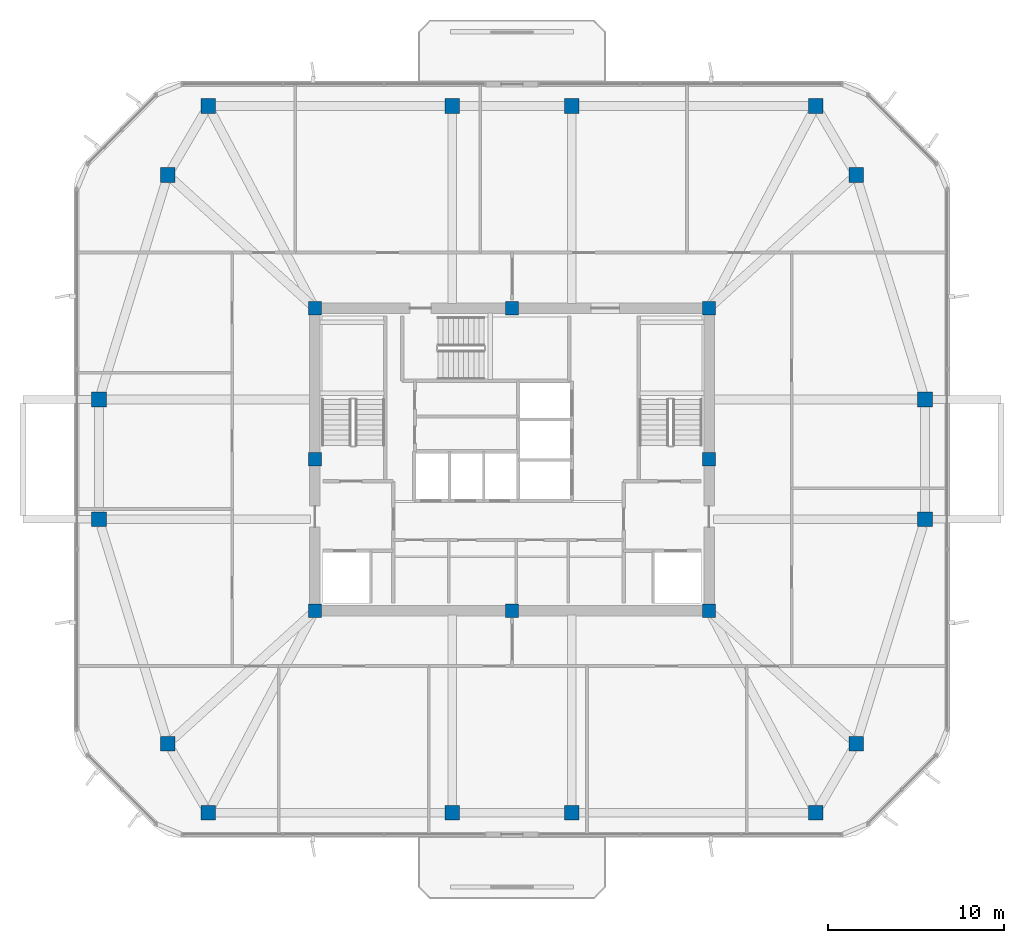
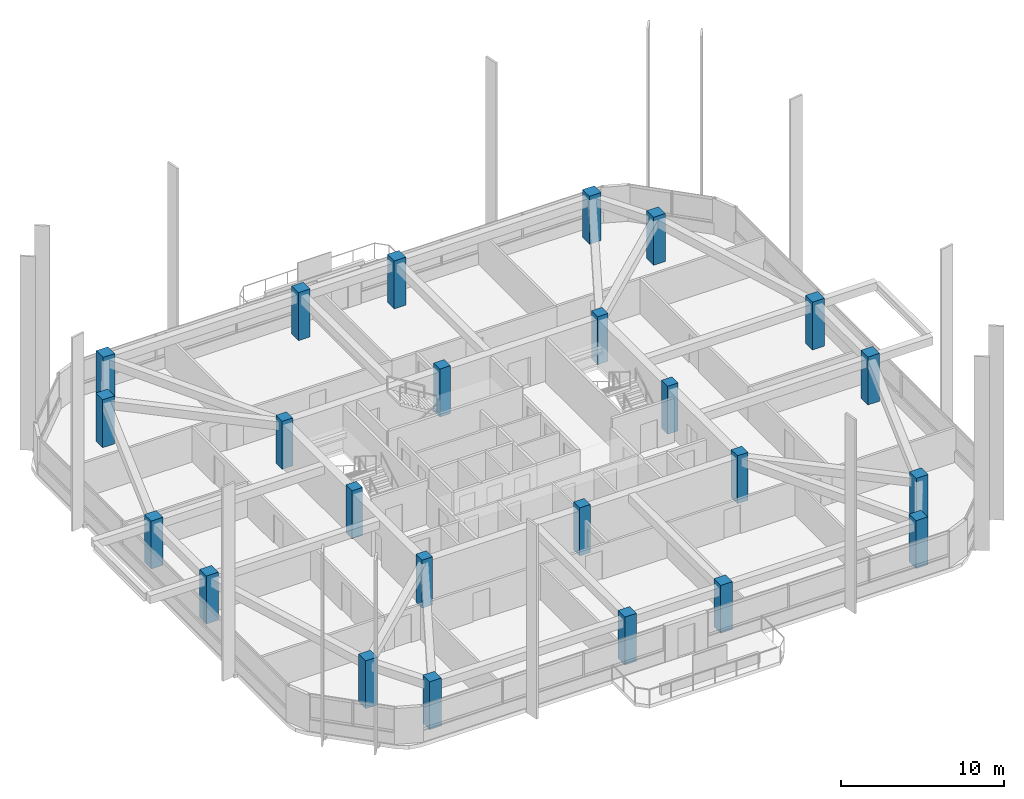
# One storey, part 1 of 12: 24 columns.
"""IFC4 building model written with IfcOpenShell, lengths in metres."""

from ifc_helpers import new_model, si_unit, derived_unit, direction, frame, origin, origin_2d, place, context, subcontext, project, spatial, rectangle, extrude, material, material_profile, profile_set, type_object, element, save


model = new_model("IFC4")

# Units and contexts
model_context = context("Model", 3, precision=1e-05, world=origin(), true_north=direction((0.0, 1.0)))
body_context = subcontext(model_context, "Body", "Model", "MODEL_VIEW")
ifc_project = project(units=[si_unit("LENGTHUNIT", "METRE"), si_unit("AREAUNIT", "SQUARE_METRE"), si_unit("VOLUMEUNIT", "CUBIC_METRE"), si_unit("PLANEANGLEUNIT", "RADIAN"), si_unit("MASSUNIT", "GRAM", prefix="KILO"), derived_unit("THERMALTRANSMITTANCEUNIT", [(si_unit("POWERUNIT", "WATT"), 1), (si_unit("LENGTHUNIT", "METRE"), -2), (si_unit("THERMODYNAMICTEMPERATUREUNIT", "KELVIN"), -1)])], contexts=[model_context])

# Site, building, storey
site_placement = place(None, origin())
site = spatial("IfcSite", under=ifc_project, at=site_placement, CompositionType="ELEMENT")
building_placement = place(site_placement, origin())
building = spatial("IfcBuilding", under=site, at=building_placement, Name="Koralith Skygarden Medical Center", CompositionType="ELEMENT")
storey_placement = place(building_placement, frame((0.0, 0.0, 268.02001953125)))
storey = spatial("IfcBuildingStorey", under=building, at=storey_placement, Name="L69", CompositionType="ELEMENT", Elevation=268.02001953125)

# Columns
ifc_material = material(Name="Concrete C55/67", Category="concrete")
ifc_material_profile_1 = material_profile(ifc_material, rectangle(XDim=0.760009765625, YDim=0.760009765625, at=origin_2d()), Name="RC760X760")
ifc_profile_set_1 = profile_set([ifc_material_profile_1], Name="Concrete C55/67")
column_type_1 = type_object("IfcColumnType", Name="Core Crown Column C55 RC760", PredefinedType="COLUMN", material=ifc_profile_set_1)
for number, where, z_axis, x_axis, name in (
    (1, (25.800048828125, 17.300048828125, 0.0), (0.0, 0.0, 1.0), (1.0, 0.0, 0.0), "L69 Core Column CC-01"),
    (2, (37.0, 17.300048828125, 0.0), (0.0, 0.0, 1.0), (1.0, 0.0, 0.0), "L69 Core Column CC-02"),
    (3, (48.199951171875, 17.300048828125, 0.0), (0.0, 0.0, 1.0), (1.0, 0.0, 0.0), "L69 Core Column CC-03"),
    (4, (48.199951171875, 25.89990234375, 0.0), (0.0, 0.0, 1.0), (1.0, 0.0, 0.0), "L69 Core Column CC-04"),
    (5, (48.199951171875, 34.5, 0.0), (0.0, 0.0, 1.0), (1.0, 0.0, 0.0), "L69 Core Column CC-05"),
    (6, (37.0, 34.5, 0.0), (0.0, 0.0, 1.0), (1.0, 0.0, 0.0), "L69 Core Column CC-06"),
    (7, (25.800048828125, 34.5, 0.0), (0.0, 0.0, 1.0), (1.0, 0.0, 0.0), "L69 Core Column CC-07"),
    (8, (25.800048828125, 25.89990234375, 0.0), (0.0, 0.0, 1.0), (1.0, 0.0, 0.0), "L69 Core Column CC-08"),
):
    element("IfcColumn", number, at=place(storey_placement, frame(where, z_axis=z_axis, x_axis=x_axis)), inside=storey, type_object=column_type_1, Name=name, PredefinedType="COLUMN", context=body_context, shape_type="SweptSolid", body=[
        extrude(rectangle(XDim=0.760009765625, YDim=0.760009765625, at=origin_2d()), origin(), (0.0, 0.0, 1.0), 3.60009765625),
    ])
ifc_material_profile_2 = material_profile(ifc_material, rectangle(XDim=0.840087890625, YDim=0.840087890625, at=origin_2d()), Name="RC840X840")
ifc_profile_set_2 = profile_set([ifc_material_profile_2], Name="Concrete C55/67")
column_type_2 = type_object("IfcColumnType", Name="Zone 5 Upper Mega-Column C55 RC840", PredefinedType="COLUMN", material=ifc_profile_set_2)
for number, where, z_axis, x_axis, name in (
    (9, (13.52001953125, 22.5, 0.0), (0.0, 0.0, 1.0), (1.0, 0.0, 0.0), "L69 Perimeter Mega-Column MC-01"),
    (10, (17.43994140625, 9.739990234375, 0.0), (0.0, 0.0, 1.0), (1.0, 0.0, 0.0), "L69 Perimeter Mega-Column MC-02"),
    (11, (19.73193359375, 5.820068359375, 0.0), (0.0, 0.0, 1.0), (1.0, 0.0, 0.0), "L69 Perimeter Mega-Column MC-03"),
    (12, (33.60009765625, 5.820068359375, 0.0), (0.0, 0.0, 1.0), (1.0, 0.0, 0.0), "L69 Perimeter Mega-Column MC-04"),
    (13, (40.39990234375, 5.820068359375, 0.0), (0.0, 0.0, 1.0), (1.0, 0.0, 0.0), "L69 Perimeter Mega-Column MC-05"),
    (14, (54.26806640625, 5.820068359375, 0.0), (0.0, 0.0, 1.0), (1.0, 0.0, 0.0), "L69 Perimeter Mega-Column MC-06"),
    (15, (56.56005859375, 9.739990234375, 0.0), (0.0, 0.0, 1.0), (1.0, 0.0, 0.0), "L69 Perimeter Mega-Column MC-07"),
    (16, (60.47998046875, 22.5, 0.0), (0.0, 0.0, 1.0), (1.0, 0.0, 0.0), "L69 Perimeter Mega-Column MC-08"),
    (17, (60.47998046875, 29.300048828125, 0.0), (0.0, 0.0, 1.0), (1.0, 0.0, 0.0), "L69 Perimeter Mega-Column MC-09"),
    (18, (56.56005859375, 42.06005859375, 0.0), (0.0, 0.0, 1.0), (1.0, 0.0, 0.0), "L69 Perimeter Mega-Column MC-10"),
    (19, (54.26806640625, 45.97998046875, 0.0), (0.0, 0.0, 1.0), (1.0, 0.0, 0.0), "L69 Perimeter Mega-Column MC-11"),
    (20, (40.39990234375, 45.97998046875, 0.0), (0.0, 0.0, 1.0), (1.0, 0.0, 0.0), "L69 Perimeter Mega-Column MC-12"),
    (21, (33.60009765625, 45.97998046875, 0.0), (0.0, 0.0, 1.0), (1.0, 0.0, 0.0), "L69 Perimeter Mega-Column MC-13"),
    (22, (19.73193359375, 45.97998046875, 0.0), (0.0, 0.0, 1.0), (1.0, 0.0, 0.0), "L69 Perimeter Mega-Column MC-14"),
    (23, (17.43994140625, 42.06005859375, 0.0), (0.0, 0.0, 1.0), (1.0, 0.0, 0.0), "L69 Perimeter Mega-Column MC-15"),
    (24, (13.52001953125, 29.300048828125, 0.0), (0.0, 0.0, 1.0), (1.0, 0.0, 0.0), "L69 Perimeter Mega-Column MC-16"),
):
    element("IfcColumn", number, at=place(storey_placement, frame(where, z_axis=z_axis, x_axis=x_axis)), inside=storey, type_object=column_type_2, Name=name, PredefinedType="COLUMN", context=body_context, shape_type="SweptSolid", body=[
        extrude(rectangle(XDim=0.840087890625, YDim=0.840087890625, at=origin_2d()), origin(), (0.0, 0.0, 1.0), 3.60009765625),
    ])

save(model, "model.ifc")
